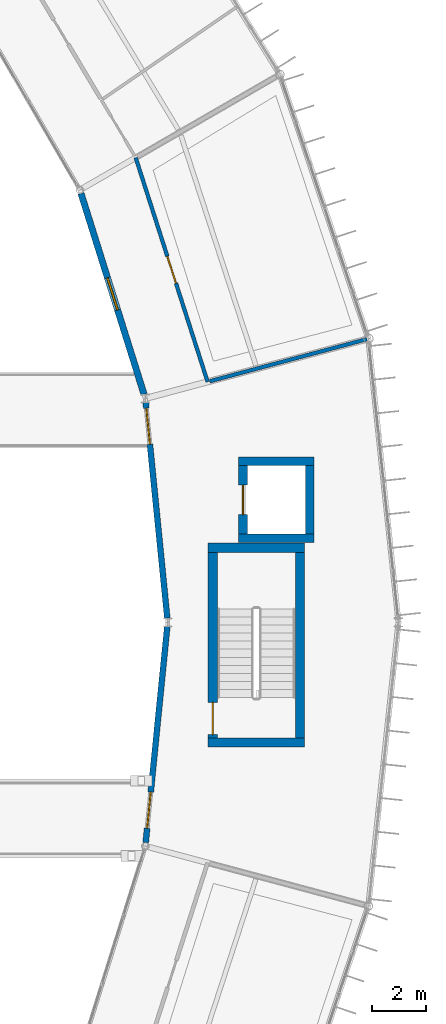
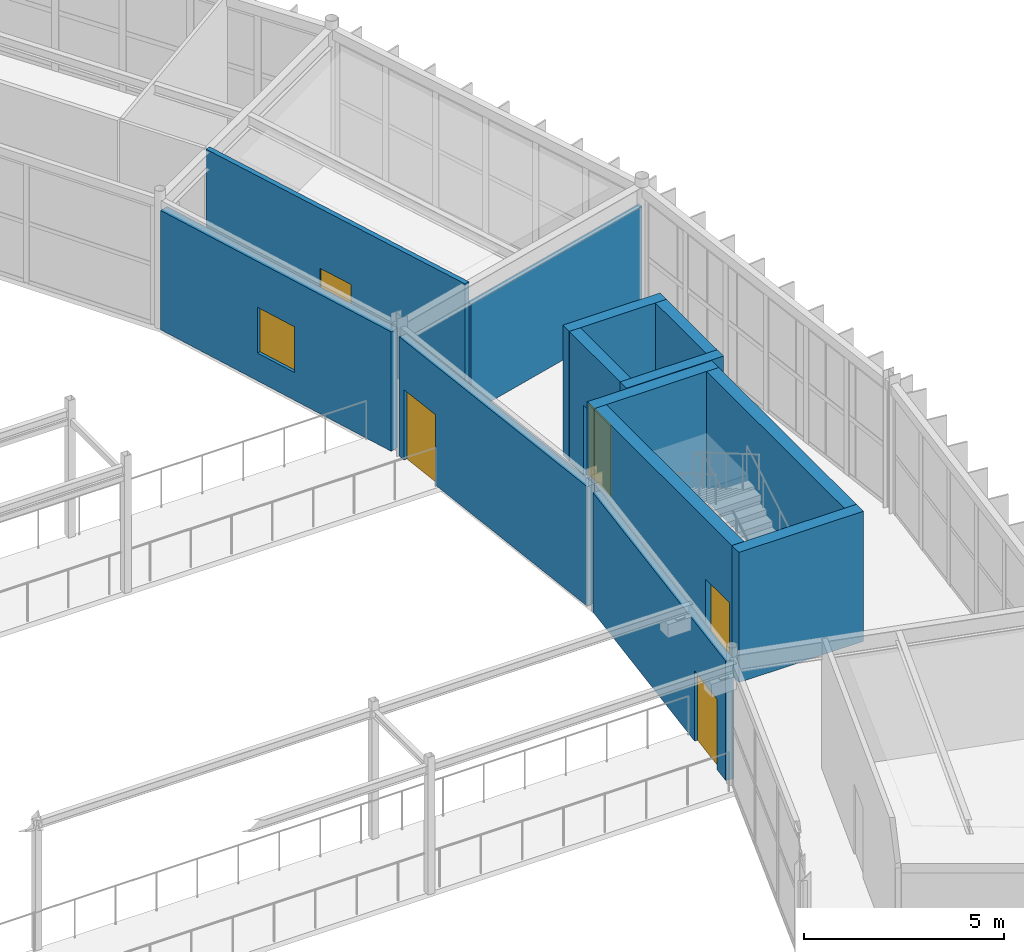
# One storey, part 125 of 148: 13 walls, 5 doors, 1 window, 6 openings.
"""IFC4 building model written with IfcOpenShell, lengths in metres."""

from ifc_helpers import new_model, si_unit, direction, frame, frame_2d, origin, place, context, subcontext, project, spatial, rectangle, extrude, material, layer, layer_set, type_object, element, fill, save


model = new_model("IFC4")

# Units and contexts
model_context = context("Model", 3, precision=1e-05, world=origin(), true_north=direction((0.0, 1.0)))
body_context = subcontext(model_context, "Body", "Model", "MODEL_VIEW")
ifc_project = project(units=[si_unit("LENGTHUNIT", "METRE"), si_unit("AREAUNIT", "SQUARE_METRE"), si_unit("VOLUMEUNIT", "CUBIC_METRE"), si_unit("PLANEANGLEUNIT", "RADIAN"), si_unit("MASSUNIT", "GRAM", prefix="KILO")], contexts=[model_context])

# Site, building, storey
site_placement = place(None, origin())
site = spatial("IfcSite", under=ifc_project, at=site_placement, CompositionType="ELEMENT")
building_placement = place(site_placement, origin())
building = spatial("IfcBuilding", under=site, at=building_placement, Name="Karori Crest Natural Sciences Institute", CompositionType="ELEMENT")
storey_placement = place(building_placement, frame((0.0, 0.0, 4.89990234375)))
storey = spatial("IfcBuildingStorey", under=building, at=storey_placement, Name="L01", CompositionType="ELEMENT", Elevation=4.89990234375)

# Walls
ifc_material_1 = material(Name="Concrete 50 MPa", Category="concrete")
ifc_layer_1 = layer(ifc_material_1, 0.35009765625, Name="Concrete 50 MPa")
ifc_layer_set_1 = layer_set([ifc_layer_1], Name="Concrete 50 MPa")
wall_type_1 = type_object("IfcWallType", Name="IWT-02", PredefinedType="SHEAR", material=ifc_layer_set_1)
for number, where, z_axis, x_axis, name in (
    (1, (92.300048828125, 45.425048828125, 0.0), (0.0, 0.0, 1.0), (1.0, 0.0, 0.0), "Shear wall IW-0009"),
    (2, (92.300048828125, 52.675048828125, 0.0), (0.0, 0.0, 1.0), (1.0, 0.0, 0.0), "Shear wall IW-0010"),
):
    element("IfcWall", number, at=place(storey_placement, frame(where, z_axis=z_axis, x_axis=x_axis)), inside=storey, type_object=wall_type_1, Name=name, PredefinedType="SHEAR", context=body_context, shape_type="SweptSolid", body=[
        extrude(rectangle(XDim=3.599853515625, YDim=0.35009765625, at=frame_2d((1.7998046875, 0.0))), origin(), (0.0, 0.0, 1.0), 3.97998046875),
    ])

# Wall, opening, door
wall_1_placement = place(storey_placement, frame((92.47509765625, 45.60205078125, 0.0), z_axis=(0.0, 0.0, 1.0), x_axis=(0.0, 1.0, 0.0)))
wall_1 = element("IfcWall", 3, at=wall_1_placement, inside=storey, type_object=wall_type_1, Name="Shear wall IW-0011", PredefinedType="SHEAR", context=body_context, shape_type="SweptSolid", body=[
    extrude(rectangle(XDim=6.89599609375, YDim=0.35009765625, at=frame_2d((3.447998046875, 0.0))), origin(), (0.0, 0.0, 1.0), 3.97998046875),
])
opening_1_placement = place(wall_1_placement, frame((0.1201171875, 0.0, 0.0)))
opening_1 = element("IfcOpeningElement", 4, at=opening_1_placement, cuts=wall_1, Name="Opening ID-0003", PredefinedType="OPENING", context=body_context, shape_type="SweptSolid", body=[
    extrude(rectangle(XDim=1.199951171875, YDim=2.14990234375, at=frame_2d((0.60009765625, 1.074951171875))), frame((0.0, 0.18505859375, 0.0), z_axis=(0.0, -1.0, 0.0), x_axis=(1.0, 0.0, 0.0)), (0.0, 0.0, 1.0), 0.3701171875),
])
ifc_material_2 = material(Name="Stainless steel 316 and fire-rated timber", Category="steel")
door_type_1 = type_object("IfcDoorType", Name="IDT-01", OperationType="NOTDEFINED", PredefinedType="DOOR", material=ifc_material_2)
door_1_placement = place(opening_1_placement, origin())
door_1 = element("IfcDoor", 5, at=door_1_placement, inside=storey, type_object=door_type_1, Name="Stair ST-01 fire door ID-0003", OperationType="SINGLE_SWING_LEFT", OverallHeight=2.14990234375, OverallWidth=1.199951171875, PredefinedType="DOOR", context=body_context, shape_type="SweptSolid", body=[
    extrude(rectangle(XDim=1.199951171875, YDim=2.14990234375, at=frame_2d((0.60009765625, 1.074951171875))), frame((0.0, 0.02490234375, 0.0), z_axis=(0.0, -1.0, 0.0), x_axis=(1.0, 0.0, 0.0)), (0.0, 0.0, 1.0), 0.050048828125),
])
fill(opening_1, door_1)

# Walls
wall_2_placement = place(storey_placement, frame((95.72509765625, 45.60205078125, 0.0), z_axis=(0.0, 0.0, 1.0), x_axis=(0.0, 1.0, 0.0)))
element("IfcWall", 6, at=wall_2_placement, inside=storey, type_object=wall_type_1, Name="Shear wall IW-0012", PredefinedType="SHEAR", context=body_context, shape_type="SweptSolid", body=[
    extrude(rectangle(XDim=6.89599609375, YDim=0.35009765625, at=frame_2d((3.447998046875, 0.0))), origin(), (0.0, 0.0, 1.0), 3.97998046875),
])
ifc_layer_2 = layer(ifc_material_1, 0.320068359375, Name="Concrete 50 MPa")
ifc_layer_set_2 = layer_set([ifc_layer_2], Name="Concrete 50 MPa")
wall_type_2 = type_object("IfcWallType", Name="IWT-03", PredefinedType="SHEAR", material=ifc_layer_set_2)
for number, where, z_axis, x_axis, name in (
    (7, (93.445068359375, 53.030029296875, 0.0), (0.0, 0.0, 1.0), (1.0, 0.0, 0.0), "Shear wall IW-0409"),
    (8, (93.445068359375, 55.89501953125, 0.0), (0.0, 0.0, 1.0), (1.0, 0.0, 0.0), "Shear wall IW-0410"),
):
    element("IfcWall", number, at=place(storey_placement, frame(where, z_axis=z_axis, x_axis=x_axis)), inside=storey, type_object=wall_type_2, Name=name, PredefinedType="SHEAR", context=body_context, shape_type="SweptSolid", body=[
        extrude(rectangle(XDim=2.809814453125, YDim=0.320068359375, at=frame_2d((1.40478515625, 0.0))), origin(), (0.0, 0.0, 1.0), 3.97998046875),
    ])

# Wall, opening, door
wall_3_placement = place(storey_placement, frame((93.60498046875, 53.19189453125, 0.0), z_axis=(0.0, 0.0, 1.0), x_axis=(0.0, 1.0, 0.0)))
wall_3 = element("IfcWall", 9, at=wall_3_placement, inside=storey, type_object=wall_type_2, Name="Shear wall IW-0411", PredefinedType="SHEAR", context=body_context, shape_type="SweptSolid", body=[
    extrude(rectangle(XDim=2.541015625, YDim=0.320068359375, at=frame_2d((1.2705078125, 0.0))), origin(), (0.0, 0.0, 1.0), 3.97998046875),
])
opening_2_placement = place(wall_3_placement, frame((0.720458984375, 0.0, 0.0)))
opening_2 = element("IfcOpeningElement", 10, at=opening_2_placement, cuts=wall_3, Name="Opening LD-0027", PredefinedType="OPENING", context=body_context, shape_type="SweptSolid", body=[
    extrude(rectangle(XDim=1.10009765625, YDim=2.14990234375, at=frame_2d((0.550048828125, 1.074951171875))), frame((0.0, 0.169921875, 0.0), z_axis=(0.0, -1.0, 0.0), x_axis=(1.0, 0.0, 0.0)), (0.0, 0.0, 1.0), 0.340087890625),
])
door_type_2 = type_object("IfcDoorType", Name="LDT-01", OperationType="SLIDING_TO_LEFT", PredefinedType="DOOR", material=ifc_material_2)
door_2_placement = place(opening_2_placement, origin())
door_2 = element("IfcDoor", 11, at=door_2_placement, inside=storey, type_object=door_type_2, Name="Lift LP-01 landing door LD-0027", OperationType="SLIDING_TO_LEFT", OverallHeight=2.14990234375, OverallWidth=1.10009765625, PredefinedType="DOOR", context=body_context, shape_type="SweptSolid", body=[
    extrude(rectangle(XDim=1.10009765625, YDim=2.14990234375, at=frame_2d((0.550048828125, 1.074951171875))), frame((0.0, 0.02490234375, 0.0), z_axis=(0.0, -1.0, 0.0), x_axis=(1.0, 0.0, 0.0)), (0.0, 0.0, 1.0), 0.050048828125),
])
fill(opening_2, door_2)

# Wall
wall_4_placement = place(storey_placement, frame((96.094970703125, 53.19189453125, 0.0), z_axis=(0.0, 0.0, 1.0), x_axis=(0.0, 1.0, 0.0)))
element("IfcWall", 12, at=wall_4_placement, inside=storey, type_object=wall_type_2, Name="Shear wall IW-0412", PredefinedType="SHEAR", context=body_context, shape_type="SweptSolid", body=[
    extrude(rectangle(XDim=2.541015625, YDim=0.320068359375, at=frame_2d((1.2705078125, 0.0))), origin(), (0.0, 0.0, 1.0), 3.97998046875),
])

# Wall, opening, door
ifc_material_3 = material(Name="Laboratory acoustic drywall partition")
ifc_layer_3 = layer(ifc_material_3, 0.139892578125, Name="Laboratory acoustic drywall partition")
ifc_layer_set_3 = layer_set([ifc_layer_3], Name="Laboratory acoustic drywall partition")
wall_type_3 = type_object("IfcWallType", Name="IWT-07", PredefinedType="PARTITIONING", material=ifc_layer_set_3)
wall_5_placement = place(storey_placement, frame((92.286865234375, 58.85498046875, 0.0), z_axis=(0.0, 0.0, 1.0), x_axis=(-0.30548522006, 0.952196818061, 0.0)))
wall_5 = element("IfcWall", 13, at=wall_5_placement, inside=storey, type_object=wall_type_3, Name="Partition wall IW-1209", PredefinedType="PARTITIONING", context=body_context, shape_type="SweptSolid", body=[
    extrude(rectangle(XDim=8.763916015625, YDim=0.139892578125, at=frame_2d((4.3818359375, 0.0))), origin(), (0.0, 0.0, 1.0), 3.97998046875),
])
opening_3_placement = place(wall_5_placement, frame((3.85693359375, 0.0, 0.0)))
opening_3 = element("IfcOpeningElement", 14, at=opening_3_placement, cuts=wall_5, Name="Opening ID-0366", PredefinedType="OPENING", context=body_context, shape_type="SweptSolid", body=[
    extrude(rectangle(XDim=1.050048828125, YDim=2.14990234375, at=frame_2d((0.52490234375, 1.074951171875))), frame((0.0, 0.080078125, 0.0), z_axis=(0.0, -1.0, 0.0), x_axis=(1.0, 0.0, 0.0)), (0.0, 0.0, 1.0), 0.159912109375),
])
door_type_3 = type_object("IfcDoorType", Name="IDT-03", OperationType="NOTDEFINED", PredefinedType="DOOR", material=ifc_material_2)
door_3_placement = place(opening_3_placement, origin())
door_3 = element("IfcDoor", 15, at=door_3_placement, inside=storey, type_object=door_type_3, Name="Molecular Ecology Wet Laboratory door ID-0366", OperationType="SINGLE_SWING_RIGHT", OverallHeight=2.14990234375, OverallWidth=1.050048828125, PredefinedType="DOOR", context=body_context, shape_type="SweptSolid", body=[
    extrude(rectangle(XDim=1.050048828125, YDim=2.14990234375, at=frame_2d((0.52490234375, 1.074951171875))), frame((0.0, 0.02490234375, 0.0), z_axis=(0.0, -1.0, 0.0), x_axis=(1.0, 0.0, 0.0)), (0.0, 0.0, 1.0), 0.050048828125),
])
fill(opening_3, door_3)

# Wall
wall_6_placement = place(storey_placement, frame((92.364013671875, 58.875732421875, 0.0), z_axis=(0.0, 0.0, 1.0), x_axis=(0.96591927772, 0.258843483457, 0.0)))
element("IfcWall", 16, at=wall_6_placement, inside=storey, type_object=wall_type_3, Name="Partition wall IW-1210", PredefinedType="PARTITIONING", context=body_context, shape_type="SweptSolid", body=[
    extrude(rectangle(XDim=6.06005859375, YDim=0.139892578125, at=frame_2d((3.030029296875, 0.0))), origin(), (0.0, 0.0, 1.0), 3.322998046875),
])

# Wall, opening, window
ifc_material_4 = material(Name="Precast concrete 40 MPa", Category="concrete")
ifc_layer_4 = layer(ifc_material_4, 0.239990234375, Name="Precast concrete 40 MPa")
ifc_layer_set_4 = layer_set([ifc_layer_4], Name="Precast concrete 40 MPa")
wall_type_4 = type_object("IfcWallType", Name="WT-04", PredefinedType="SOLIDWALL", material=ifc_layer_set_4)
wall_7_placement = place(storey_placement, frame((89.9208984375, 58.385986328125, 0.0), z_axis=(0.0, 0.0, 1.0), x_axis=(-0.299477830639, 0.954103259064, 0.0)))
wall_7 = element("IfcWall", 17, at=wall_7_placement, inside=storey, type_object=wall_type_4, Name="Exterior wall EW-0038", PredefinedType="SOLIDWALL", context=body_context, shape_type="SweptSolid", body=[
    extrude(rectangle(XDim=7.845703125, YDim=0.239990234375, at=frame_2d((3.9228515625, 0.0))), origin(), (0.0, 0.0, 1.0), 3.650146484375),
])
opening_4_placement = place(wall_7_placement, frame((3.2978515625, 0.0, 0.85009765625)))
opening_4 = element("IfcOpeningElement", 18, at=opening_4_placement, cuts=wall_7, Name="Opening WN-0009", PredefinedType="OPENING", context=body_context, shape_type="SweptSolid", body=[
    extrude(rectangle(XDim=1.25, YDim=1.39990234375, at=frame_2d((0.625, 0.699951171875))), frame((0.0, 0.1298828125, 0.0), z_axis=(0.0, -1.0, 0.0), x_axis=(1.0, 0.0, 0.0)), (0.0, 0.0, 1.0), 0.260009765625),
])
ifc_material_5 = material(Name="Double low-E laminated glass", Category="glass")
window_type = type_object("IfcWindowType", Name="WNT-02", PartitioningType="SINGLE_PANEL", PredefinedType="WINDOW", material=ifc_material_5)
window_placement = place(opening_4_placement, origin())
window = element("IfcWindow", 19, at=window_placement, inside=storey, type_object=window_type, Name="Window WN-0009", OverallHeight=1.39990234375, OverallWidth=1.25, PartitioningType="SINGLE_PANEL", PredefinedType="WINDOW", context=body_context, shape_type="SweptSolid", body=[
    extrude(rectangle(XDim=1.25, YDim=1.39990234375, at=frame_2d((0.625, 0.699951171875))), frame((0.0, 0.030029296875, 0.0), z_axis=(0.0, -1.0, 0.0), x_axis=(1.0, 0.0, 0.0)), (0.0, 0.0, 1.0), 0.06005859375),
])
fill(opening_4, window)

# Wall, opening, door
ifc_layer_5 = layer(ifc_material_4, 0.219970703125, Name="Precast concrete 40 MPa")
ifc_layer_set_5 = layer_set([ifc_layer_5], Name="Precast concrete 40 MPa")
wall_type_5 = type_object("IfcWallType", Name="WT-05", PredefinedType="SOLIDWALL", material=ifc_layer_set_5)
wall_8_placement = place(storey_placement, frame((90.784423828125, 50.055419921875, 0.0), z_axis=(0.0, 0.0, 1.0), x_axis=(-0.099243006395, 0.995063226977, 0.0)))
wall_8 = element("IfcWall", 20, at=wall_8_placement, inside=storey, type_object=wall_type_5, Name="Exterior wall EW-0037", PredefinedType="SOLIDWALL", context=body_context, shape_type="SweptSolid", body=[
    extrude(rectangle(XDim=8.06640625, YDim=0.219970703125, at=frame_2d((4.033203125, 0.0))), origin(), (0.0, 0.0, 1.0), 3.650146484375),
])
opening_5_placement = place(wall_8_placement, frame((6.50634765625, 0.0, 0.0)))
opening_5 = element("IfcOpeningElement", 21, at=opening_5_placement, cuts=wall_8, Name="Opening ED-0007", PredefinedType="OPENING", context=body_context, shape_type="SweptSolid", body=[
    extrude(rectangle(XDim=1.35009765625, YDim=2.14990234375, at=frame_2d((0.675048828125, 1.074951171875))), frame((0.0, 0.1201171875, 0.0), z_axis=(0.0, -1.0, 0.0), x_axis=(1.0, 0.0, 0.0)), (0.0, 0.0, 1.0), 0.239990234375),
])
ifc_material_6 = material(Name="Anodised architectural aluminium 6063-T6", Category="aluminium")
door_type_4 = type_object("IfcDoorType", Name="EDT-06", OperationType="NOTDEFINED", PredefinedType="DOOR", material=ifc_material_6)
door_4_placement = place(opening_5_placement, origin())
door_4 = element("IfcDoor", 22, at=door_4_placement, inside=storey, type_object=door_type_4, Name="Courtyard bridge door ED-0007", OperationType="SINGLE_SWING_LEFT", OverallHeight=2.14990234375, OverallWidth=1.35009765625, PredefinedType="DOOR", context=body_context, shape_type="SweptSolid", body=[
    extrude(rectangle(XDim=1.35009765625, YDim=2.14990234375, at=frame_2d((0.675048828125, 1.074951171875))), frame((0.0, 0.02490234375, 0.0), z_axis=(0.0, -1.0, 0.0), x_axis=(1.0, 0.0, 0.0)), (0.0, 0.0, 1.0), 0.050048828125),
])
fill(opening_5, door_4)

wall_9_placement = place(storey_placement, frame((89.98193359375, 41.69970703125, 0.0), z_axis=(0.0, 0.0, 1.0), x_axis=(0.09926153237, 0.995061379108, 0.0)))
wall_9 = element("IfcWall", 23, at=wall_9_placement, inside=storey, type_object=wall_type_5, Name="Exterior wall EW-0050", PredefinedType="SOLIDWALL", context=body_context, shape_type="SweptSolid", body=[
    extrude(rectangle(XDim=8.084716796875, YDim=0.219970703125, at=frame_2d((4.04248046875, 0.0))), origin(), (0.0, 0.0, 1.0), 3.650146484375),
])
opening_6_placement = place(wall_9_placement, frame((0.5400390625, 0.0, 0.0)))
opening_6 = element("IfcOpeningElement", 24, at=opening_6_placement, cuts=wall_9, Name="Opening ED-0010", PredefinedType="OPENING", context=body_context, shape_type="SweptSolid", body=[
    extrude(rectangle(XDim=1.35009765625, YDim=2.14990234375, at=frame_2d((0.675048828125, 1.074951171875))), frame((0.0, 0.1201171875, 0.0), z_axis=(0.0, -1.0, 0.0), x_axis=(1.0, 0.0, 0.0)), (0.0, 0.0, 1.0), 0.239990234375),
])
door_5_placement = place(opening_6_placement, origin())
door_5 = element("IfcDoor", 25, at=door_5_placement, inside=storey, type_object=door_type_4, Name="Courtyard bridge door ED-0010", OperationType="SINGLE_SWING_RIGHT", OverallHeight=2.14990234375, OverallWidth=1.35009765625, PredefinedType="DOOR", context=body_context, shape_type="SweptSolid", body=[
    extrude(rectangle(XDim=1.35009765625, YDim=2.14990234375, at=frame_2d((0.675048828125, 1.074951171875))), frame((0.0, 0.02490234375, 0.0), z_axis=(0.0, -1.0, 0.0), x_axis=(1.0, 0.0, 0.0)), (0.0, 0.0, 1.0), 0.050048828125),
])
fill(opening_6, door_5)

save(model, "model.ifc")
